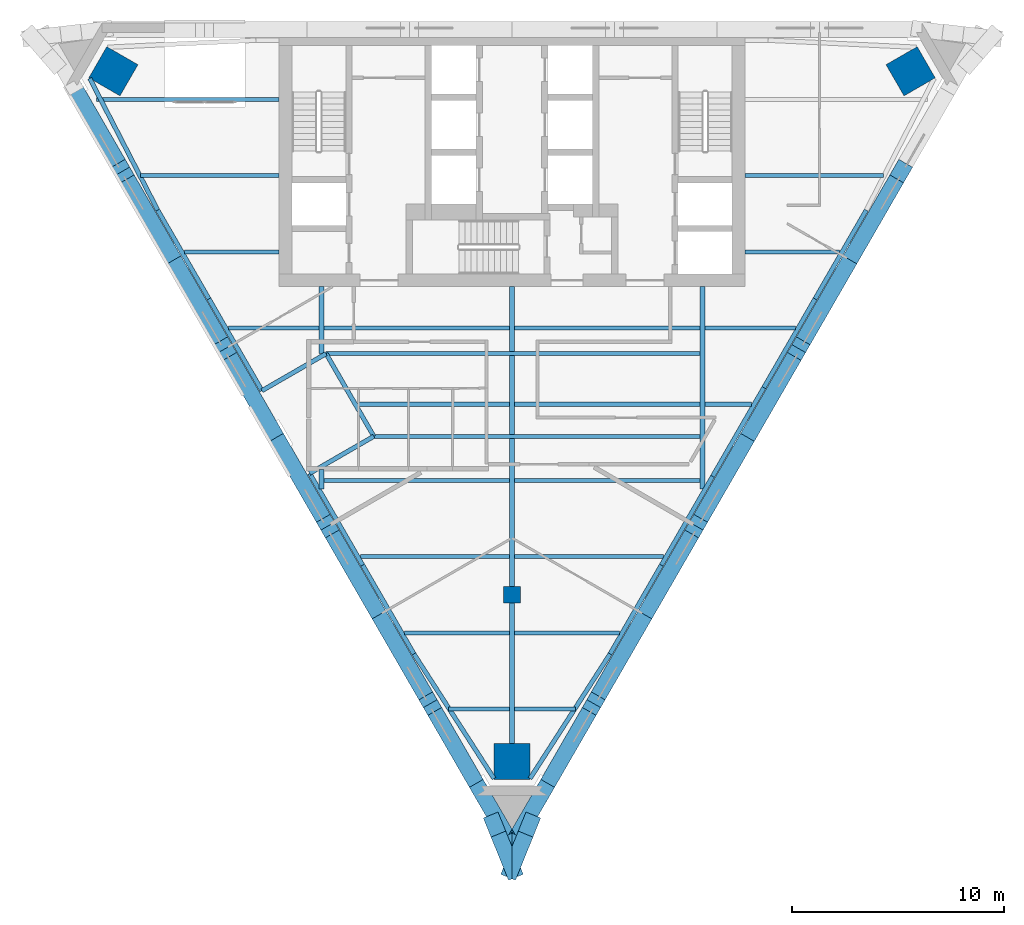
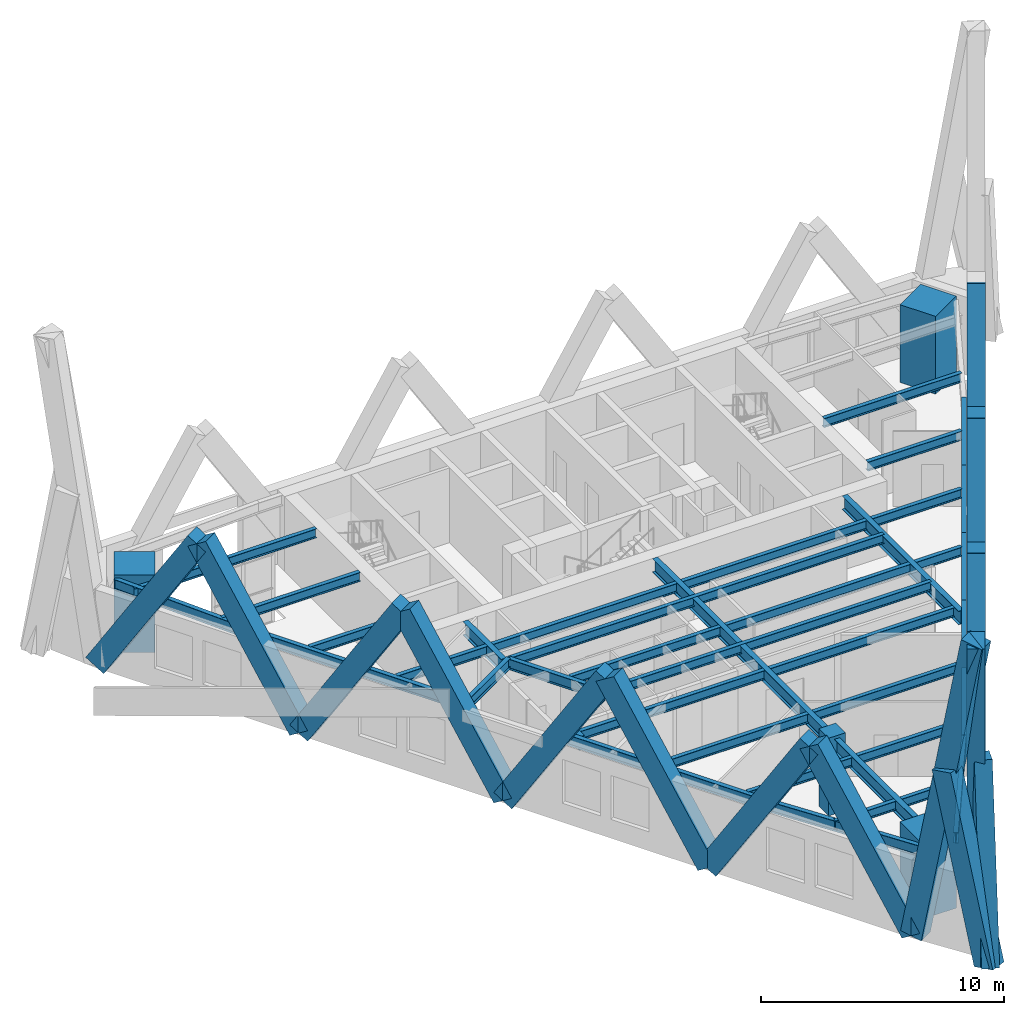
# One storey, part 1 of 9: 42 beams, 19 members, 4 columns.
"""IFC4 building model written with IfcOpenShell, lengths in metres."""

import ifcopenshell
import ifcopenshell.guid

model = None  # the IFC model being written
_history = None  # IfcOwnerHistory: only IFC2X3 demands one
_inside = {}  # id of a spatial element -> (the spatial element, [elements in it])
_under = {}  # id of a project, library or spatial element -> (it, [spatial elements below it])
_declared = {}  # id of a project -> (the project, [libraries it declares])
_typed = {}  # id of a type object -> (the type object, [elements of that type])
_made_of = {}  # id of a material, layer set ... -> (it, [elements and type objects made of it])


def new_model(schema):
    """Start an empty IFC model of exactly this schema.

    Asked for "IFC4X3", IfcOpenShell would pick the latest addendum, in which some entities
    have other attributes; the version numbers below select the first issue.
    IFC2X3 requires an IfcOwnerHistory on every rooted entity: one is made here for all.
    """
    global model, _history
    if schema == "IFC4X3":
        model = ifcopenshell.file(schema_version=(4, 3, 0, 0))
    else:
        model = ifcopenshell.file(schema=schema)
    _inside.clear()
    _under.clear()
    _declared.clear()
    _typed.clear()
    _made_of.clear()
    _history = None
    if model.schema == "IFC2X3":
        org = make("IfcOrganization", Name="unknown")
        user = make(
            "IfcPersonAndOrganization",
            ThePerson=make("IfcPerson", FamilyName="unknown"),
            TheOrganization=org,
        )
        app = make(
            "IfcApplication",
            ApplicationDeveloper=org,
            Version="unknown",
            ApplicationFullName="unknown",
            ApplicationIdentifier="unknown",
        )
        _history = make(
            "IfcOwnerHistory",
            OwningUser=user,
            OwningApplication=app,
            ChangeAction="ADDED",
            CreationDate=0,
        )
    return model


def make(cls, **values):
    """One entity of the class cls with the attributes given. An attribute that is None is left unset."""
    return model.create_entity(
        cls, **{name: value for name, value in values.items() if value is not None}
    )


def rooted(cls, **values):
    """An entity with a GlobalId (a new one), such as an element, a storey or a relation."""
    return make(cls, GlobalId=ifcopenshell.guid.new(), OwnerHistory=_history, **values)


def si_unit(unit_type, name, prefix=None):
    """IfcSIUnit, for example si_unit("LENGTHUNIT", "METRE", prefix="MILLI")."""
    return make("IfcSIUnit", UnitType=unit_type, Prefix=prefix, Name=name)


def assignment(units):
    """IfcUnitAssignment: the units of a project."""
    return None if units is None else make("IfcUnitAssignment", Units=units)


def point(xyz):
    """IfcCartesianPoint."""
    return None if xyz is None else make("IfcCartesianPoint", Coordinates=xyz)


def direction(xyz):
    """IfcDirection."""
    return None if xyz is None else make("IfcDirection", DirectionRatios=xyz)


def frame(location, z_axis=None, x_axis=None):
    """IfcAxis2Placement3D, a coordinate frame: its origin and axes. An axis left out is left unset."""
    return make(
        "IfcAxis2Placement3D",
        Location=point(location),
        Axis=direction(z_axis),
        RefDirection=direction(x_axis),
    )


def frame_2d(location, x_axis=None):
    """IfcAxis2Placement2D, a coordinate frame in the plane: its origin and x axis."""
    return make(
        "IfcAxis2Placement2D", Location=point(location), RefDirection=direction(x_axis)
    )


def origin():
    """The frame at (0, 0, 0) with its axes left unset."""
    return frame((0.0, 0.0, 0.0))


def origin_2d():
    """The frame at (0, 0) in the plane with its x axis left unset."""
    return frame_2d((0.0, 0.0))


def place(relative_to, where):
    """IfcLocalPlacement: puts the frame where relative to a parent placement (None: the world)."""
    return make(
        "IfcLocalPlacement", PlacementRelTo=relative_to, RelativePlacement=where
    )


def context(
    kind, dimensions, precision=None, world=None, true_north=None, identifier=None
):
    """IfcGeometricRepresentationContext, for example the 3D "Model" context."""
    return make(
        "IfcGeometricRepresentationContext",
        ContextIdentifier=identifier,
        ContextType=kind,
        CoordinateSpaceDimension=dimensions,
        Precision=precision,
        WorldCoordinateSystem=world,
        TrueNorth=true_north,
    )


def subcontext(parent, identifier, kind, view, scale=None):
    """IfcGeometricRepresentationSubContext, for example "Body" below "Model"."""
    return make(
        "IfcGeometricRepresentationSubContext",
        ContextIdentifier=identifier,
        ContextType=kind,
        ParentContext=parent,
        TargetScale=scale,
        TargetView=view,
    )


def project(units=None, contexts=None):
    """IfcProject with its units and contexts."""
    return rooted(
        "IfcProject",
        Name="project",
        RepresentationContexts=contexts,
        UnitsInContext=assignment(units),
    )


def spatial(cls, under=None, at=None, **own):
    """A site, building, storey or space (cls), placed at a placement, below another one or the project."""
    s = rooted(cls, ObjectPlacement=at, **own)
    if under is not None:
        _under.setdefault(under.id(), (under, []))[1].append(s)
    return s


def profile(cls, at=None, kind="AREA", **sizes):
    """A parametric profile (cls). Its sizes go by their IFC names, for example OverallWidth=200.0."""
    return make(cls, ProfileType=kind, Position=at, **sizes)


def rectangle(**sizes):
    """IfcRectangleProfileDef."""
    return profile("IfcRectangleProfileDef", **sizes)


def i_section(**sizes):
    """IfcIShapeProfileDef."""
    return profile("IfcIShapeProfileDef", **sizes)


def extrude(swept, where, along, depth):
    """IfcExtrudedAreaSolid: the profile swept, set in the frame where, extruded along a direction by depth."""
    return make(
        "IfcExtrudedAreaSolid",
        SweptArea=swept,
        Position=where,
        ExtrudedDirection=direction(along),
        Depth=depth,
    )


def shape(context_of_items, identifier, shape_type, items):
    """IfcShapeRepresentation: the items that make up one representation, for example the "Body"."""
    return make(
        "IfcShapeRepresentation",
        ContextOfItems=context_of_items,
        RepresentationIdentifier=identifier,
        RepresentationType=shape_type,
        Items=items,
    )


def material(Name=None, Category=None):
    """IfcMaterial."""
    return make("IfcMaterial", Name=Name, Category=Category)


def material_profile(
    of_material, cross_section, Name=None, Category=None, Priority=None
):
    """IfcMaterialProfile: a cross section and its material."""
    return make(
        "IfcMaterialProfile",
        Name=Name,
        Material=of_material,
        Profile=cross_section,
        Priority=Priority,
        Category=Category,
    )


def profile_set(profiles, Name=None, composite=None):
    """IfcMaterialProfileSet."""
    return make(
        "IfcMaterialProfileSet",
        Name=Name,
        MaterialProfiles=profiles,
        CompositeProfile=composite,
    )


def made_of(thing, what):
    """Note that an element or type object is made of a material, layer set ...; save() writes the relation."""
    if what is not None:
        _made_of.setdefault(what.id(), (what, []))[1].append(thing)
    return thing


def type_object(cls, material=None, **own):
    """A type object (cls), such as IfcWallType, which elements share."""
    return made_of(rooted(cls, **own), material)


def element(
    cls,
    number,
    at=None,
    inside=None,
    cuts=None,
    type_object=None,
    material=None,
    context=None,
    identifier="Body",
    shape_type=None,
    held_by="IfcProductDefinitionShape",
    body=None,
    shapes=None,
    **own,
):
    """One element of the class cls, such as IfcWall. Its Tag is "e" and its number.

    at: its placement. inside: the storey or other place that contains it. cuts: it is an
    opening in that element (IfcRelVoidsElement). A single representation is given by context,
    identifier, shape_type and body (its items); several are given by shapes. held_by: the class
    of the entity that holds the representations. save() writes the other relations.
    """
    e = rooted(cls, Tag="e%d" % number, ObjectPlacement=at, **own)
    if body is not None:
        shapes = [shape(context, identifier, shape_type, body)]
    if shapes is not None:
        e.Representation = make(held_by, Representations=shapes)
    if inside is not None:
        _inside.setdefault(inside.id(), (inside, []))[1].append(e)
    if cuts is not None:
        rooted(
            "IfcRelVoidsElement", RelatingBuildingElement=cuts, RelatedOpeningElement=e
        )
    if type_object is not None:
        _typed.setdefault(type_object.id(), (type_object, []))[1].append(e)
    return made_of(e, material)


def aggregate(whole, parts):
    """IfcRelAggregates: a whole, such as a stair, and the parts it consists of."""
    return rooted("IfcRelAggregates", RelatingObject=whole, RelatedObjects=parts)


def save(model, path):
    """Write the relations noted so far, then the file.

    IfcRelAggregates (storeys below a building ...), IfcRelContainedInSpatialStructure (elements
    in a storey), IfcRelDefinesByType, IfcRelAssociatesMaterial and IfcRelDeclares: one each for
    every whole, place, type object, material and project.
    """
    for whole, parts in _under.values():
        aggregate(whole, parts)
    for where, things in _inside.values():
        rooted(
            "IfcRelContainedInSpatialStructure",
            RelatedElements=things,
            RelatingStructure=where,
        )
    for kind, things in _typed.values():
        rooted("IfcRelDefinesByType", RelatedObjects=things, RelatingType=kind)
    for what, things in _made_of.values():
        rooted("IfcRelAssociatesMaterial", RelatedObjects=things, RelatingMaterial=what)
    for by, libraries in _declared.values():
        rooted("IfcRelDeclares", RelatingContext=by, RelatedDefinitions=libraries)
    model.write(path)


model = new_model("IFC4")

# Units and contexts
model_context = context("Model", 3, precision=1e-05, world=origin(), true_north=direction((0.0, 1.0)))
body_context = subcontext(model_context, "Body", "Model", "MODEL_VIEW")
ifc_project = project(units=[si_unit("LENGTHUNIT", "METRE"), si_unit("AREAUNIT", "SQUARE_METRE"), si_unit("VOLUMEUNIT", "CUBIC_METRE"), si_unit("PLANEANGLEUNIT", "RADIAN"), si_unit("MASSUNIT", "GRAM", prefix="KILO")], contexts=[model_context])

# Site, building, storey
site_placement = place(None, origin())
site = spatial("IfcSite", under=ifc_project, at=site_placement, CompositionType="ELEMENT")
building_placement = place(site_placement, origin())
building = spatial("IfcBuilding", under=site, at=building_placement, Name="Aloe Facet Convention Tower", CompositionType="ELEMENT")
storey_placement = place(building_placement, frame((0.0, 0.0, 195.800048828125)))
storey = spatial("IfcBuildingStorey", under=building, at=storey_placement, Name="L49", CompositionType="ELEMENT", Elevation=195.800048828125)

# Columns
ifc_material_1 = material(Name="Concrete C70/85", Category="concrete")
ifc_material_profile_1 = material_profile(ifc_material_1, rectangle(XDim=0.800048828125, YDim=0.800048828125, at=origin_2d()), Name="SF-GC-Z4")
ifc_profile_set_1 = profile_set([ifc_material_profile_1], Name="Concrete C70/85")
column_type_1 = type_object("IfcColumnType", Name="SF-GC-Z4", PredefinedType="COLUMN", material=ifc_profile_set_1)
column_placement = place(storey_placement, frame((80.0, 108.0, 0.0), z_axis=(0.0, 0.0, 1.0), x_axis=(1.0, 0.0, 0.0)))
element("IfcColumn", 1, at=column_placement, inside=storey, type_object=column_type_1, Name="Gravity column GC-Z4-9D", PredefinedType="COLUMN", context=body_context, shape_type="SweptSolid", body=[
    extrude(rectangle(XDim=0.800048828125, YDim=0.800048828125, at=origin_2d()), origin(), (0.0, 0.0, 1.0), 3.89990234375),
])
ifc_material_2 = material(Name="Concrete C80/95", Category="concrete")
ifc_material_profile_2 = material_profile(ifc_material_2, rectangle(XDim=1.699951171875, YDim=1.699951171875, at=origin_2d()), Name="STW-MC-Z4")
ifc_profile_set_2 = profile_set([ifc_material_profile_2], Name="Concrete C80/95")
column_type_2 = type_object("IfcColumnType", Name="STW-MC-Z4", PredefinedType="COLUMN", material=ifc_profile_set_2)
for number, where, z_axis, x_axis, name in (
    (2, (98.828857421875, 132.727783203125, 0.0), (0.0, 0.0, 1.0), (-0.5, 0.866025403784, 0.0), "Mega-column MC-NE-L49"),
    (3, (61.171142578125, 132.727783203125, 0.0), (0.0, 0.0, 1.0), (-0.5, -0.866025403784, 0.0), "Mega-column MC-NW-L49"),
    (4, (80.0, 100.114990234375, 0.0), (0.0, 0.0, 1.0), (1.0, 0.0, 0.0), "Mega-column MC-S-L49"),
):
    element("IfcColumn", number, at=place(storey_placement, frame(where, z_axis=z_axis, x_axis=x_axis)), inside=storey, type_object=column_type_2, Name=name, PredefinedType="COLUMN", context=body_context, shape_type="SweptSolid", body=[
        extrude(rectangle(XDim=1.699951171875, YDim=1.699951171875, at=origin_2d()), origin(), (0.0, 0.0, 1.0), 3.89990234375),
    ])

# Beams
ifc_material_3 = material(Name="Steel S355", Category="steel")
ifc_material_profile_3 = material_profile(ifc_material_3, i_section(OverallWidth=0.19140625, OverallDepth=0.4599609375, WebThickness=0.010009765625, FlangeThickness=0.01611328125, FilletRadius=0.01025390625, at=origin_2d()), Name="UB 457x191x82")
ifc_profile_set_3 = profile_set([ifc_material_profile_3], Name="Steel S355")
beam_type_1 = type_object("IfcBeamType", Name="SF-B-UB457x191x82", PredefinedType="BEAM", material=ifc_profile_set_3)
beam_1_placement = place(storey_placement, frame((60.373779296875, 131.39990234375, 3.52001953125), z_axis=(1.0, 0.0, 0.0), x_axis=(0.0, 1.0, 0.0)))
element("IfcBeam", 5, at=beam_1_placement, inside=storey, type_object=beam_type_1, Name="Floor beam FB-Z4E-026", PredefinedType="BEAM", context=body_context, shape_type="SweptSolid", body=[
    extrude(i_section(OverallWidth=0.19140625, OverallDepth=0.4599609375, WebThickness=0.010009765625, FlangeThickness=0.01611328125, FilletRadius=0.01025390625, at=origin_2d()), origin(), (0.0, 0.0, 1.0), 8.626220703125),
])
beam_2_placement = place(storey_placement, frame((62.452392578125, 127.800048828125, 3.52001953125), z_axis=(1.0, 0.0, 0.0), x_axis=(0.0, 1.0, 0.0)))
element("IfcBeam", 6, at=beam_2_placement, inside=storey, type_object=beam_type_1, Name="Floor beam FB-Z4E-027", PredefinedType="BEAM", context=body_context, shape_type="SweptSolid", body=[
    extrude(i_section(OverallWidth=0.19140625, OverallDepth=0.4599609375, WebThickness=0.010009765625, FlangeThickness=0.01611328125, FilletRadius=0.01025390625, at=origin_2d()), origin(), (0.0, 0.0, 1.0), 6.547607421875),
])
beam_3_placement = place(storey_placement, frame((64.53076171875, 124.199951171875, 3.52001953125), z_axis=(1.0, 0.0, 0.0), x_axis=(0.0, 1.0, 0.0)))
element("IfcBeam", 7, at=beam_3_placement, inside=storey, type_object=beam_type_1, Name="Floor beam FB-Z4E-028", PredefinedType="BEAM", context=body_context, shape_type="SweptSolid", body=[
    extrude(i_section(OverallWidth=0.19140625, OverallDepth=0.4599609375, WebThickness=0.010009765625, FlangeThickness=0.01611328125, FilletRadius=0.01025390625, at=origin_2d()), origin(), (0.0, 0.0, 1.0), 4.46923828125),
])
beam_4_placement = place(storey_placement, frame((66.609130859375, 120.60009765625, 3.52001953125), z_axis=(1.0, 0.0, 0.0), x_axis=(0.0, 1.0, 0.0)))
element("IfcBeam", 8, at=beam_4_placement, inside=storey, type_object=beam_type_1, Name="Floor beam FB-Z4E-029", PredefinedType="BEAM", context=body_context, shape_type="SweptSolid", body=[
    extrude(i_section(OverallWidth=0.19140625, OverallDepth=0.4599609375, WebThickness=0.010009765625, FlangeThickness=0.01611328125, FilletRadius=0.01025390625, at=origin_2d()), origin(), (0.0, 0.0, 1.0), 4.264404296875),
])
for number, where, z_axis, x_axis, name in (
    (9, (71.12646484375, 113.39990234375, 3.52001953125), (1.0, 0.0, 0.0), (0.0, 1.0, 0.0), "Floor beam FB-Z4E-030"),
    (10, (71.12646484375, 120.60009765625, 3.52001953125), (1.0, 0.0, 0.0), (0.0, 1.0, 0.0), "Floor beam FB-Z4E-031"),
):
    element("IfcBeam", number, at=place(storey_placement, frame(where, z_axis=z_axis, x_axis=x_axis)), inside=storey, type_object=beam_type_1, Name=name, PredefinedType="BEAM", context=body_context, shape_type="SweptSolid", body=[
        extrude(i_section(OverallWidth=0.19140625, OverallDepth=0.4599609375, WebThickness=0.010009765625, FlangeThickness=0.01611328125, FilletRadius=0.01025390625, at=origin_2d()), origin(), (0.0, 0.0, 1.0), 8.7470703125),
    ])
beam_5_placement = place(storey_placement, frame((71.21826171875, 119.39013671875, 3.52001953125), z_axis=(1.0, 0.0, 0.0), x_axis=(0.0, 1.0, 0.0)))
element("IfcBeam", 11, at=beam_5_placement, inside=storey, type_object=beam_type_1, Name="Floor beam FB-Z4E-032", PredefinedType="BEAM", context=body_context, shape_type="SweptSolid", body=[
    extrude(i_section(OverallWidth=0.19140625, OverallDepth=0.4599609375, WebThickness=0.010009765625, FlangeThickness=0.01611328125, FilletRadius=0.01025390625, at=origin_2d()), origin(), (0.0, 0.0, 1.0), 17.78173828125),
])
beam_6_placement = place(storey_placement, frame((72.72900390625, 117.0, 3.52001953125), z_axis=(1.0, 0.0, 0.0), x_axis=(0.0, 1.0, 0.0)))
element("IfcBeam", 12, at=beam_6_placement, inside=storey, type_object=beam_type_1, Name="Floor beam FB-Z4E-033", PredefinedType="BEAM", context=body_context, shape_type="SweptSolid", body=[
    extrude(i_section(OverallWidth=0.19140625, OverallDepth=0.4599609375, WebThickness=0.010009765625, FlangeThickness=0.01611328125, FilletRadius=0.01025390625, at=origin_2d()), origin(), (0.0, 0.0, 1.0), 7.14453125),
])
beam_7_placement = place(storey_placement, frame((72.844482421875, 109.800048828125, 3.52001953125), z_axis=(1.0, 0.0, 0.0), x_axis=(0.0, 1.0, 0.0)))
element("IfcBeam", 13, at=beam_7_placement, inside=storey, type_object=beam_type_1, Name="Floor beam FB-Z4E-034", PredefinedType="BEAM", context=body_context, shape_type="SweptSolid", body=[
    extrude(i_section(OverallWidth=0.19140625, OverallDepth=0.4599609375, WebThickness=0.010009765625, FlangeThickness=0.01611328125, FilletRadius=0.01025390625, at=origin_2d()), origin(), (0.0, 0.0, 1.0), 7.029052734375),
])
beam_8_placement = place(storey_placement, frame((73.472900390625, 115.485107421875, 3.52001953125), z_axis=(1.0, 0.0, 0.0), x_axis=(0.0, 1.0, 0.0)))
element("IfcBeam", 14, at=beam_8_placement, inside=storey, type_object=beam_type_1, Name="Floor beam FB-Z4E-035", PredefinedType="BEAM", context=body_context, shape_type="SweptSolid", body=[
    extrude(i_section(OverallWidth=0.19140625, OverallDepth=0.4599609375, WebThickness=0.010009765625, FlangeThickness=0.01611328125, FilletRadius=0.01025390625, at=origin_2d()), origin(), (0.0, 0.0, 1.0), 15.527099609375),
])
beam_9_placement = place(storey_placement, frame((74.923095703125, 106.199951171875, 3.52001953125), z_axis=(1.0, 0.0, 0.0), x_axis=(0.0, 1.0, 0.0)))
element("IfcBeam", 15, at=beam_9_placement, inside=storey, type_object=beam_type_1, Name="Floor beam FB-Z4E-036", PredefinedType="BEAM", context=body_context, shape_type="SweptSolid", body=[
    extrude(i_section(OverallWidth=0.19140625, OverallDepth=0.4599609375, WebThickness=0.010009765625, FlangeThickness=0.01611328125, FilletRadius=0.01025390625, at=origin_2d()), origin(), (0.0, 0.0, 1.0), 4.950439453125),
])
for number, where, z_axis, x_axis, name in (
    (16, (77.00146484375, 102.60009765625, 3.52001953125), (1.0, 0.0, 0.0), (0.0, 1.0, 0.0), "Floor beam FB-Z4E-037"),
    (17, (80.12646484375, 102.60009765625, 3.52001953125), (1.0, 0.0, 0.0), (0.0, 1.0, 0.0), "Floor beam FB-Z4E-038"),
):
    element("IfcBeam", number, at=place(storey_placement, frame(where, z_axis=z_axis, x_axis=x_axis)), inside=storey, type_object=beam_type_1, Name=name, PredefinedType="BEAM", context=body_context, shape_type="SweptSolid", body=[
        extrude(i_section(OverallWidth=0.19140625, OverallDepth=0.4599609375, WebThickness=0.010009765625, FlangeThickness=0.01611328125, FilletRadius=0.01025390625, at=origin_2d()), origin(), (0.0, 0.0, 1.0), 2.8720703125),
    ])
beam_10_placement = place(storey_placement, frame((80.12646484375, 106.199951171875, 3.52001953125), z_axis=(1.0, 0.0, 0.0), x_axis=(0.0, 1.0, 0.0)))
element("IfcBeam", 18, at=beam_10_placement, inside=storey, type_object=beam_type_1, Name="Floor beam FB-Z4E-039", PredefinedType="BEAM", context=body_context, shape_type="SweptSolid", body=[
    extrude(i_section(OverallWidth=0.19140625, OverallDepth=0.4599609375, WebThickness=0.010009765625, FlangeThickness=0.01611328125, FilletRadius=0.01025390625, at=origin_2d()), origin(), (0.0, 0.0, 1.0), 4.950439453125),
])
beam_11_placement = place(storey_placement, frame((80.12646484375, 109.800048828125, 3.52001953125), z_axis=(1.0, 0.0, 0.0), x_axis=(0.0, 1.0, 0.0)))
element("IfcBeam", 19, at=beam_11_placement, inside=storey, type_object=beam_type_1, Name="Floor beam FB-Z4E-040", PredefinedType="BEAM", context=body_context, shape_type="SweptSolid", body=[
    extrude(i_section(OverallWidth=0.19140625, OverallDepth=0.4599609375, WebThickness=0.010009765625, FlangeThickness=0.01611328125, FilletRadius=0.01025390625, at=origin_2d()), origin(), (0.0, 0.0, 1.0), 7.029052734375),
])
for number, where, z_axis, x_axis, name in (
    (20, (80.12646484375, 113.39990234375, 3.52001953125), (1.0, 0.0, 0.0), (0.0, 1.0, 0.0), "Floor beam FB-Z4E-041"),
    (21, (80.12646484375, 117.0, 3.52001953125), (1.0, 0.0, 0.0), (0.0, 1.0, 0.0), "Floor beam FB-Z4E-042"),
    (22, (80.12646484375, 120.60009765625, 3.52001953125), (1.0, 0.0, 0.0), (0.0, 1.0, 0.0), "Floor beam FB-Z4E-043"),
):
    element("IfcBeam", number, at=place(storey_placement, frame(where, z_axis=z_axis, x_axis=x_axis)), inside=storey, type_object=beam_type_1, Name=name, PredefinedType="BEAM", context=body_context, shape_type="SweptSolid", body=[
        extrude(i_section(OverallWidth=0.19140625, OverallDepth=0.4599609375, WebThickness=0.010009765625, FlangeThickness=0.01611328125, FilletRadius=0.01025390625, at=origin_2d()), origin(), (0.0, 0.0, 1.0), 8.7470703125),
    ])
beam_12_placement = place(storey_placement, frame((89.12646484375, 117.0, 3.52001953125), z_axis=(1.0, 0.0, 0.0), x_axis=(0.0, 1.0, 0.0)))
element("IfcBeam", 23, at=beam_12_placement, inside=storey, type_object=beam_type_1, Name="Floor beam FB-Z4E-044", PredefinedType="BEAM", context=body_context, shape_type="SweptSolid", body=[
    extrude(i_section(OverallWidth=0.19140625, OverallDepth=0.4599609375, WebThickness=0.010009765625, FlangeThickness=0.01611328125, FilletRadius=0.01025390625, at=origin_2d()), origin(), (0.0, 0.0, 1.0), 2.185791015625),
])
beam_13_placement = place(storey_placement, frame((89.12646484375, 120.60009765625, 3.52001953125), z_axis=(1.0, 0.0, 0.0), x_axis=(0.0, 1.0, 0.0)))
element("IfcBeam", 24, at=beam_13_placement, inside=storey, type_object=beam_type_1, Name="Floor beam FB-Z4E-045", PredefinedType="BEAM", context=body_context, shape_type="SweptSolid", body=[
    extrude(i_section(OverallWidth=0.19140625, OverallDepth=0.4599609375, WebThickness=0.010009765625, FlangeThickness=0.01611328125, FilletRadius=0.01025390625, at=origin_2d()), origin(), (0.0, 0.0, 1.0), 4.264404296875),
])
beam_14_placement = place(storey_placement, frame((91.0, 124.199951171875, 3.52001953125), z_axis=(1.0, 0.0, 0.0), x_axis=(0.0, 1.0, 0.0)))
element("IfcBeam", 25, at=beam_14_placement, inside=storey, type_object=beam_type_1, Name="Floor beam FB-Z4E-046", PredefinedType="BEAM", context=body_context, shape_type="SweptSolid", body=[
    extrude(i_section(OverallWidth=0.19140625, OverallDepth=0.4599609375, WebThickness=0.010009765625, FlangeThickness=0.01611328125, FilletRadius=0.01025390625, at=origin_2d()), origin(), (0.0, 0.0, 1.0), 4.46923828125),
])
beam_15_placement = place(storey_placement, frame((91.0, 127.800048828125, 3.52001953125), z_axis=(1.0, 0.0, 0.0), x_axis=(0.0, 1.0, 0.0)))
element("IfcBeam", 26, at=beam_15_placement, inside=storey, type_object=beam_type_1, Name="Floor beam FB-Z4E-047", PredefinedType="BEAM", context=body_context, shape_type="SweptSolid", body=[
    extrude(i_section(OverallWidth=0.19140625, OverallDepth=0.4599609375, WebThickness=0.010009765625, FlangeThickness=0.01611328125, FilletRadius=0.01025390625, at=origin_2d()), origin(), (0.0, 0.0, 1.0), 6.547607421875),
])
ifc_material_4 = material(Name="Steel S355", Category="steel")
ifc_material_profile_4 = material_profile(ifc_material_4, i_section(OverallWidth=0.209228515625, OverallDepth=0.533203125, WebThickness=0.010009765625, FlangeThickness=0.015625, FilletRadius=0.0126953125, at=origin_2d()), Name="UB 533x210x92")
ifc_profile_set_4 = profile_set([ifc_material_profile_4], Name="Steel S355")
beam_type_2 = type_object("IfcBeamType", Name="SF-B-UB533x210x92", PredefinedType="BEAM", material=ifc_profile_set_4)
beam_16_placement = place(storey_placement, frame((63.26318359375, 126.1689453125, 3.4833984375), z_axis=(-0.458134533977, 0.888882865611, 0.0), x_axis=(-0.888882865611, -0.458134533977, 0.0)))
element("IfcBeam", 27, at=beam_16_placement, inside=storey, type_object=beam_type_2, Name="Floor beam FB-Z4E-002", PredefinedType="BEAM", context=body_context, shape_type="SweptSolid", body=[
    extrude(i_section(OverallWidth=0.209228515625, OverallDepth=0.533203125, WebThickness=0.010009765625, FlangeThickness=0.015625, FilletRadius=0.0126953125, at=origin_2d()), origin(), (0.0, 0.0, 1.0), 6.998046875),
])
beam_17_placement = place(storey_placement, frame((65.68359375, 121.976318359375, 3.4833984375), z_axis=(-0.499968373182, 0.866043662766, 0.0), x_axis=(-0.866043662766, -0.499968373182, 0.0)))
element("IfcBeam", 28, at=beam_17_placement, inside=storey, type_object=beam_type_2, Name="Floor beam FB-Z4E-003", PredefinedType="BEAM", context=body_context, shape_type="SweptSolid", body=[
    extrude(i_section(OverallWidth=0.209228515625, OverallDepth=0.533203125, WebThickness=0.010009765625, FlangeThickness=0.015625, FilletRadius=0.0126953125, at=origin_2d()), origin(), (0.0, 0.0, 1.0), 4.841064453125),
])
beam_18_placement = place(storey_placement, frame((68.187255859375, 117.64013671875, 3.4833984375), z_axis=(-0.500024935297, 0.866011006905, 0.0), x_axis=(-0.866011006905, -0.500024935297, 0.0)))
element("IfcBeam", 29, at=beam_18_placement, inside=storey, type_object=beam_type_2, Name="Floor beam FB-Z4E-005", PredefinedType="BEAM", context=body_context, shape_type="SweptSolid", body=[
    extrude(i_section(OverallWidth=0.209228515625, OverallDepth=0.533203125, WebThickness=0.010009765625, FlangeThickness=0.015625, FilletRadius=0.0126953125, at=origin_2d()), origin(), (0.0, 0.0, 1.0), 5.007080078125),
])
for number, where, z_axis, x_axis, name in (
    (30, (70.44189453125, 113.735107421875, 3.4833984375), (0.866019471182, 0.500010275428, 0.0), (-0.500010275428, 0.866019471182, 0.0), "Floor beam FB-Z4E-006"),
    (31, (71.21826171875, 119.39013671875, 3.4833984375), (-0.866019471182, -0.500010275428, 0.0), (0.500010275428, -0.866019471182, 0.0), "Floor beam FB-Z4E-007"),
):
    element("IfcBeam", number, at=place(storey_placement, frame(where, z_axis=z_axis, x_axis=x_axis)), inside=storey, type_object=beam_type_2, Name=name, PredefinedType="BEAM", context=body_context, shape_type="SweptSolid", body=[
        extrude(i_section(OverallWidth=0.209228515625, OverallDepth=0.533203125, WebThickness=0.010009765625, FlangeThickness=0.015625, FilletRadius=0.0126953125, at=origin_2d()), origin(), (0.0, 0.0, 1.0), 3.5),
    ])
beam_19_placement = place(storey_placement, frame((72.9453125, 109.398681640625, 3.4833984375), z_axis=(-0.499967253055, 0.866044309417, 0.0), x_axis=(-0.866044309417, -0.499967253055, 0.0)))
element("IfcBeam", 32, at=beam_19_placement, inside=storey, type_object=beam_type_2, Name="Floor beam FB-Z4E-008", PredefinedType="BEAM", context=body_context, shape_type="SweptSolid", body=[
    extrude(i_section(OverallWidth=0.209228515625, OverallDepth=0.533203125, WebThickness=0.010009765625, FlangeThickness=0.015625, FilletRadius=0.0126953125, at=origin_2d()), origin(), (0.0, 0.0, 1.0), 5.007080078125),
])
beam_20_placement = place(storey_placement, frame((73.472900390625, 115.485107421875, 3.4833984375), z_axis=(-0.500011469263, 0.866018781901, 0.0), x_axis=(-0.866018781901, -0.500011469263, 0.0)))
element("IfcBeam", 33, at=beam_20_placement, inside=storey, type_object=beam_type_2, Name="Floor beam FB-Z4E-009", PredefinedType="BEAM", context=body_context, shape_type="SweptSolid", body=[
    extrude(i_section(OverallWidth=0.209228515625, OverallDepth=0.533203125, WebThickness=0.010009765625, FlangeThickness=0.015625, FilletRadius=0.0126953125, at=origin_2d()), origin(), (0.0, 0.0, 1.0), 4.50927734375),
])
beam_21_placement = place(storey_placement, frame((75.365966796875, 105.206298828125, 3.4833984375), z_axis=(-0.500028033741, 0.866009217892, 0.0), x_axis=(-0.866009217892, -0.500028033741, 0.0)))
element("IfcBeam", 34, at=beam_21_placement, inside=storey, type_object=beam_type_2, Name="Floor beam FB-Z4E-010", PredefinedType="BEAM", context=body_context, shape_type="SweptSolid", body=[
    extrude(i_section(OverallWidth=0.209228515625, OverallDepth=0.533203125, WebThickness=0.010009765625, FlangeThickness=0.015625, FilletRadius=0.0126953125, at=origin_2d()), origin(), (0.0, 0.0, 1.0), 4.841064453125),
])
for number, where, z_axis, x_axis, name in (
    (35, (79.14990234375, 99.319580078125, 3.4833984375), (-0.540718799045, 0.841203411999, 0.0), (-0.841203411999, -0.540718799045, 0.0), "Floor beam FB-Z4E-011"),
    (36, (84.634033203125, 105.206298828125, 3.4833984375), (-0.540718799045, -0.841203411999, 0.0), (0.841203411999, -0.540718799045, 0.0), "Floor beam FB-Z4E-012"),
):
    element("IfcBeam", number, at=place(storey_placement, frame(where, z_axis=z_axis, x_axis=x_axis)), inside=storey, type_object=beam_type_2, Name=name, PredefinedType="BEAM", context=body_context, shape_type="SweptSolid", body=[
        extrude(i_section(OverallWidth=0.209228515625, OverallDepth=0.533203125, WebThickness=0.010009765625, FlangeThickness=0.015625, FilletRadius=0.0126953125, at=origin_2d()), origin(), (0.0, 0.0, 1.0), 6.998046875),
    ])
for number, where, z_axis, x_axis, name in (
    (37, (87.0546875, 109.398681640625, 3.4833984375), (-0.500028033741, -0.866009217892, 0.0), (0.866009217892, -0.500028033741, 0.0), "Floor beam FB-Z4E-013"),
    (38, (89.47509765625, 113.59130859375, 3.4833984375), (-0.499968373182, -0.866043662766, 0.0), (0.866043662766, -0.499968373182, 0.0), "Floor beam FB-Z4E-014"),
):
    element("IfcBeam", number, at=place(storey_placement, frame(where, z_axis=z_axis, x_axis=x_axis)), inside=storey, type_object=beam_type_2, Name=name, PredefinedType="BEAM", context=body_context, shape_type="SweptSolid", body=[
        extrude(i_section(OverallWidth=0.209228515625, OverallDepth=0.533203125, WebThickness=0.010009765625, FlangeThickness=0.015625, FilletRadius=0.0126953125, at=origin_2d()), origin(), (0.0, 0.0, 1.0), 4.841064453125),
    ])
beam_22_placement = place(storey_placement, frame((91.895751953125, 117.783935546875, 3.4833984375), z_axis=(-0.500006196252, -0.866021826347, 0.0), x_axis=(0.866021826347, -0.500006196252, 0.0)))
element("IfcBeam", 39, at=beam_22_placement, inside=storey, type_object=beam_type_2, Name="Floor beam FB-Z4E-016", PredefinedType="BEAM", context=body_context, shape_type="SweptSolid", body=[
    extrude(i_section(OverallWidth=0.209228515625, OverallDepth=0.533203125, WebThickness=0.010009765625, FlangeThickness=0.015625, FilletRadius=0.0126953125, at=origin_2d()), origin(), (0.0, 0.0, 1.0), 4.84130859375),
])
for number, where, z_axis, x_axis, name in (
    (40, (94.31640625, 121.976318359375, 3.4833984375), (-0.500028033741, -0.866009217892, 0.0), (0.866009217892, -0.500028033741, 0.0), "Floor beam FB-Z4E-018"),
    (41, (96.73681640625, 126.1689453125, 3.4833984375), (-0.499968373182, -0.866043662766, 0.0), (0.866043662766, -0.499968373182, 0.0), "Floor beam FB-Z4E-019"),
):
    element("IfcBeam", number, at=place(storey_placement, frame(where, z_axis=z_axis, x_axis=x_axis)), inside=storey, type_object=beam_type_2, Name=name, PredefinedType="BEAM", context=body_context, shape_type="SweptSolid", body=[
        extrude(i_section(OverallWidth=0.209228515625, OverallDepth=0.533203125, WebThickness=0.010009765625, FlangeThickness=0.015625, FilletRadius=0.0126953125, at=origin_2d()), origin(), (0.0, 0.0, 1.0), 4.841064453125),
    ])
ifc_material_5 = material(Name="Steel S355", Category="steel")
ifc_material_profile_5 = material_profile(ifc_material_5, i_section(OverallWidth=0.2529296875, OverallDepth=0.677978515625, WebThickness=0.01171875, FlangeThickness=0.01611328125, FilletRadius=0.01513671875, at=origin_2d()), Name="UB 686x254x125")
ifc_profile_set_5 = profile_set([ifc_material_profile_5], Name="Steel S355")
beam_type_3 = type_object("IfcBeamType", Name="SF-B-UB686x254x125", PredefinedType="BEAM", material=ifc_profile_set_5)
beam_23_placement = place(storey_placement, frame((71.0, 113.926513671875, 3.410888671875), z_axis=(0.0, -1.0, 0.0), x_axis=(1.0, 0.0, 0.0)))
element("IfcBeam", 42, at=beam_23_placement, inside=storey, type_object=beam_type_3, Name="Floor beam FB-Z4E-021", PredefinedType="BEAM", context=body_context, shape_type="SweptSolid", body=[
    extrude(i_section(OverallWidth=0.2529296875, OverallDepth=0.677978515625, WebThickness=0.01171875, FlangeThickness=0.01611328125, FilletRadius=0.01513671875, at=origin_2d()), origin(), (0.0, 0.0, 1.0), 0.93896484375),
])
beam_24_placement = place(storey_placement, frame((71.0, 122.550048828125, 3.410888671875), z_axis=(0.0, -1.0, 0.0), x_axis=(1.0, 0.0, 0.0)))
element("IfcBeam", 43, at=beam_24_placement, inside=storey, type_object=beam_type_3, Name="Floor beam FB-Z4E-022", PredefinedType="BEAM", context=body_context, shape_type="SweptSolid", body=[
    extrude(i_section(OverallWidth=0.2529296875, OverallDepth=0.677978515625, WebThickness=0.01171875, FlangeThickness=0.01611328125, FilletRadius=0.01513671875, at=origin_2d()), origin(), (0.0, 0.0, 1.0), 3.155029296875),
])
beam_25_placement = place(storey_placement, frame((80.0, 107.60009765625, 3.410888671875), z_axis=(0.0, -1.0, 0.0), x_axis=(1.0, 0.0, 0.0)))
element("IfcBeam", 44, at=beam_25_placement, inside=storey, type_object=beam_type_3, Name="Floor beam FB-Z4E-023", PredefinedType="BEAM", context=body_context, shape_type="SweptSolid", body=[
    extrude(i_section(OverallWidth=0.2529296875, OverallDepth=0.677978515625, WebThickness=0.01171875, FlangeThickness=0.01611328125, FilletRadius=0.01513671875, at=origin_2d()), origin(), (0.0, 0.0, 1.0), 8.165771484375),
])
beam_26_placement = place(storey_placement, frame((80.0, 122.550048828125, 3.410888671875), z_axis=(0.0, -1.0, 0.0), x_axis=(1.0, 0.0, 0.0)))
element("IfcBeam", 45, at=beam_26_placement, inside=storey, type_object=beam_type_3, Name="Floor beam FB-Z4E-024", PredefinedType="BEAM", context=body_context, shape_type="SweptSolid", body=[
    extrude(i_section(OverallWidth=0.2529296875, OverallDepth=0.677978515625, WebThickness=0.01171875, FlangeThickness=0.01611328125, FilletRadius=0.01513671875, at=origin_2d()), origin(), (0.0, 0.0, 1.0), 14.150146484375),
])
beam_27_placement = place(storey_placement, frame((89.0, 122.550048828125, 3.410888671875), z_axis=(0.0, -1.0, 0.0), x_axis=(1.0, 0.0, 0.0)))
element("IfcBeam", 46, at=beam_27_placement, inside=storey, type_object=beam_type_3, Name="Floor beam FB-Z4E-025", PredefinedType="BEAM", context=body_context, shape_type="SweptSolid", body=[
    extrude(i_section(OverallWidth=0.2529296875, OverallDepth=0.677978515625, WebThickness=0.01171875, FlangeThickness=0.01611328125, FilletRadius=0.01513671875, at=origin_2d()), origin(), (0.0, 0.0, 1.0), 9.5625),
])

# Members
ifc_material_6 = material(Name="Concrete C60/75, bronze oxide finish", Category="concrete")
ifc_material_profile_6 = material_profile(ifc_material_6, rectangle(XDim=0.75, YDim=1.0, at=origin_2d()), Name="STW-LM")
ifc_profile_set_6 = profile_set([ifc_material_profile_6], Name="Concrete C60/75, bronze oxide finish")
member_type = type_object("IfcMemberType", Name="STW-LM", PredefinedType="BRACE", material=ifc_profile_set_6)
member_1_placement = place(storey_placement, frame((59.1953125, 132.20556640625, 0.0), z_axis=(0.263653622482, -0.456699985767, 0.84965398272), x_axis=(0.866043662766, 0.499968373182, 0.0)))
element("IfcMember", 47, at=member_1_placement, inside=storey, type_object=member_type, Name="Lattice member LM-Z4-F2-R2-01", PredefinedType="BRACE", context=body_context, shape_type="SweptSolid", body=[
    extrude(rectangle(XDim=0.75, YDim=1.0, at=origin_2d()), origin(), (0.0, 0.0, 1.0), 9.18017578125),
])
member_2_placement = place(storey_placement, frame((64.036376953125, 123.8203125, 0.0), z_axis=(-0.263678367654, 0.456696783431, 0.849648025029), x_axis=(-0.866021826347, -0.500006196252, 0.0)))
element("IfcMember", 48, at=member_2_placement, inside=storey, type_object=member_type, Name="Lattice member LM-Z4-F2-R2-02", PredefinedType="BRACE", context=body_context, shape_type="SweptSolid", body=[
    extrude(rectangle(XDim=0.75, YDim=1.0, at=origin_2d()), origin(), (0.0, 0.0, 1.0), 9.180419921875),
])
for number, where, z_axis, x_axis, name in (
    (49, (64.036376953125, 123.8203125, 0.0), (0.263681570082, -0.456675735901, 0.849658344182), (0.866009217892, 0.500028033741, 0.0), "Lattice member LM-Z4-F2-R2-03"),
    (50, (68.87744140625, 115.435302734375, 0.0), (-0.263653622482, 0.456699985767, 0.84965398272), (-0.866043662766, -0.499968373182, 0.0), "Lattice member LM-Z4-F2-R2-04"),
):
    element("IfcMember", number, at=place(storey_placement, frame(where, z_axis=z_axis, x_axis=x_axis)), inside=storey, type_object=member_type, Name=name, PredefinedType="BRACE", context=body_context, shape_type="SweptSolid", body=[
        extrude(rectangle(XDim=0.75, YDim=1.0, at=origin_2d()), origin(), (0.0, 0.0, 1.0), 9.18017578125),
    ])
for number, where, z_axis, x_axis, name in (
    (51, (68.87744140625, 115.435302734375, 0.0), (0.263678367654, -0.456696783431, 0.849648025029), (0.866021826347, 0.500006196252, 0.0), "Lattice member LM-Z4-F2-R2-05"),
    (52, (73.71875, 107.050048828125, 0.0), (-0.263678367654, 0.456696783431, 0.849648025029), (-0.866021826347, -0.500006196252, 0.0), "Lattice member LM-Z4-F2-R2-06"),
):
    element("IfcMember", number, at=place(storey_placement, frame(where, z_axis=z_axis, x_axis=x_axis)), inside=storey, type_object=member_type, Name=name, PredefinedType="BRACE", context=body_context, shape_type="SweptSolid", body=[
        extrude(rectangle(XDim=0.75, YDim=1.0, at=origin_2d()), origin(), (0.0, 0.0, 1.0), 9.180419921875),
    ])
member_3_placement = place(storey_placement, frame((73.71875, 107.050048828125, 0.0), z_axis=(0.263656824656, -0.456678938167, 0.849664302091), x_axis=(0.8660310559, 0.499990210121, 0.0)))
element("IfcMember", 53, at=member_3_placement, inside=storey, type_object=member_type, Name="Lattice member LM-Z4-F2-R2-07", PredefinedType="BRACE", context=body_context, shape_type="SweptSolid", body=[
    extrude(rectangle(XDim=0.75, YDim=1.0, at=origin_2d()), origin(), (0.0, 0.0, 1.0), 9.18017578125),
])
for number, where, z_axis, x_axis, name in (
    (54, (78.559814453125, 98.6650390625, 0.0), (-0.263678367654, 0.456696783431, 0.849648025029), (-0.866021826347, -0.500006196252, 0.0), "Lattice member LM-Z4-F2-R2-08"),
    (55, (81.440185546875, 98.6650390625, 0.0), (0.263678367654, 0.456696783431, 0.849648025029), (-0.866021826347, 0.500006196252, 0.0), "Lattice member LM-Z4-F3-R2-01"),
):
    element("IfcMember", number, at=place(storey_placement, frame(where, z_axis=z_axis, x_axis=x_axis)), inside=storey, type_object=member_type, Name=name, PredefinedType="BRACE", context=body_context, shape_type="SweptSolid", body=[
        extrude(rectangle(XDim=0.75, YDim=1.0, at=origin_2d()), origin(), (0.0, 0.0, 1.0), 9.180419921875),
    ])
member_4_placement = place(storey_placement, frame((86.28125, 107.050048828125, 0.0), z_axis=(-0.263656824656, -0.456678938167, 0.849664302091), x_axis=(0.8660310559, -0.499990210121, 0.0)))
element("IfcMember", 56, at=member_4_placement, inside=storey, type_object=member_type, Name="Lattice member LM-Z4-F3-R2-02", PredefinedType="BRACE", context=body_context, shape_type="SweptSolid", body=[
    extrude(rectangle(XDim=0.75, YDim=1.0, at=origin_2d()), origin(), (0.0, 0.0, 1.0), 9.18017578125),
])
for number, where, z_axis, x_axis, name in (
    (57, (86.28125, 107.050048828125, 0.0), (0.263678367654, 0.456696783431, 0.849648025029), (-0.866021826347, 0.500006196252, 0.0), "Lattice member LM-Z4-F3-R2-03"),
    (58, (91.12255859375, 115.435302734375, 0.0), (-0.263678367654, -0.456696783431, 0.849648025029), (0.866021826347, -0.500006196252, 0.0), "Lattice member LM-Z4-F3-R2-04"),
):
    element("IfcMember", number, at=place(storey_placement, frame(where, z_axis=z_axis, x_axis=x_axis)), inside=storey, type_object=member_type, Name=name, PredefinedType="BRACE", context=body_context, shape_type="SweptSolid", body=[
        extrude(rectangle(XDim=0.75, YDim=1.0, at=origin_2d()), origin(), (0.0, 0.0, 1.0), 9.180419921875),
    ])
for number, where, z_axis, x_axis, name in (
    (59, (91.12255859375, 115.435302734375, 0.0), (0.263653622482, 0.456699985767, 0.84965398272), (-0.866043662766, 0.499968373182, 0.0), "Lattice member LM-Z4-F3-R2-05"),
    (60, (95.963623046875, 123.8203125, 0.0), (-0.263681570082, -0.456675735901, 0.849658344182), (0.866009217892, -0.500028033741, 0.0), "Lattice member LM-Z4-F3-R2-06"),
):
    element("IfcMember", number, at=place(storey_placement, frame(where, z_axis=z_axis, x_axis=x_axis)), inside=storey, type_object=member_type, Name=name, PredefinedType="BRACE", context=body_context, shape_type="SweptSolid", body=[
        extrude(rectangle(XDim=0.75, YDim=1.0, at=origin_2d()), origin(), (0.0, 0.0, 1.0), 9.18017578125),
    ])
member_5_placement = place(storey_placement, frame((95.963623046875, 123.8203125, 0.0), z_axis=(0.263678367654, 0.456696783431, 0.849648025029), x_axis=(-0.866021826347, 0.500006196252, 0.0)))
element("IfcMember", 61, at=member_5_placement, inside=storey, type_object=member_type, Name="Lattice member LM-Z4-F3-R2-07", PredefinedType="BRACE", context=body_context, shape_type="SweptSolid", body=[
    extrude(rectangle(XDim=0.75, YDim=1.0, at=origin_2d()), origin(), (0.0, 0.0, 1.0), 9.180419921875),
])
member_6_placement = place(storey_placement, frame((78.559814453125, 98.6650390625, 0.0), z_axis=(0.090799101614, -0.156339460094, 0.98352096895), x_axis=(0.864737661069, 0.5022238321, 0.0)))
element("IfcMember", 62, at=member_6_placement, inside=storey, type_object=member_type, Name="Lattice member LM-Z4-F5-R2-01", PredefinedType="BRACE", context=body_context, shape_type="SweptSolid", body=[
    extrude(rectangle(XDim=0.75, YDim=1.0, at=origin_2d()), origin(), (0.0, 0.0, 1.0), 15.861328125),
])
member_7_placement = place(storey_placement, frame((80.0, 95.108154296875, 0.0), z_axis=(-0.08965503177, 0.221391413166, 0.971055002281), x_axis=(-0.926882411066, -0.375351829697, 0.0)))
element("IfcMember", 63, at=member_7_placement, inside=storey, type_object=member_type, Name="Lattice member LM-Z4-F5-R2-02", PredefinedType="BRACE", context=body_context, shape_type="SweptSolid", body=[
    extrude(rectangle(XDim=0.75, YDim=1.0, at=origin_2d()), origin(), (0.0, 0.0, 1.0), 9.201416015625),
])
member_8_placement = place(storey_placement, frame((81.440185546875, 98.6650390625, 0.0), z_axis=(-0.090799101614, -0.156339460094, 0.98352096895), x_axis=(0.864737661069, -0.5022238321, 0.0)))
element("IfcMember", 64, at=member_8_placement, inside=storey, type_object=member_type, Name="Lattice member LM-Z4-F5-R2-03", PredefinedType="BRACE", context=body_context, shape_type="SweptSolid", body=[
    extrude(rectangle(XDim=0.75, YDim=1.0, at=origin_2d()), origin(), (0.0, 0.0, 1.0), 15.861328125),
])
member_9_placement = place(storey_placement, frame((80.0, 95.108154296875, 0.0), z_axis=(0.08965503177, 0.221391413166, 0.971055002281), x_axis=(-0.926882411066, 0.375351829697, 0.0)))
element("IfcMember", 65, at=member_9_placement, inside=storey, type_object=member_type, Name="Lattice member LM-Z4-F5-R2-04", PredefinedType="BRACE", context=body_context, shape_type="SweptSolid", body=[
    extrude(rectangle(XDim=0.75, YDim=1.0, at=origin_2d()), origin(), (0.0, 0.0, 1.0), 9.201416015625),
])

save(model, "model.ifc")
